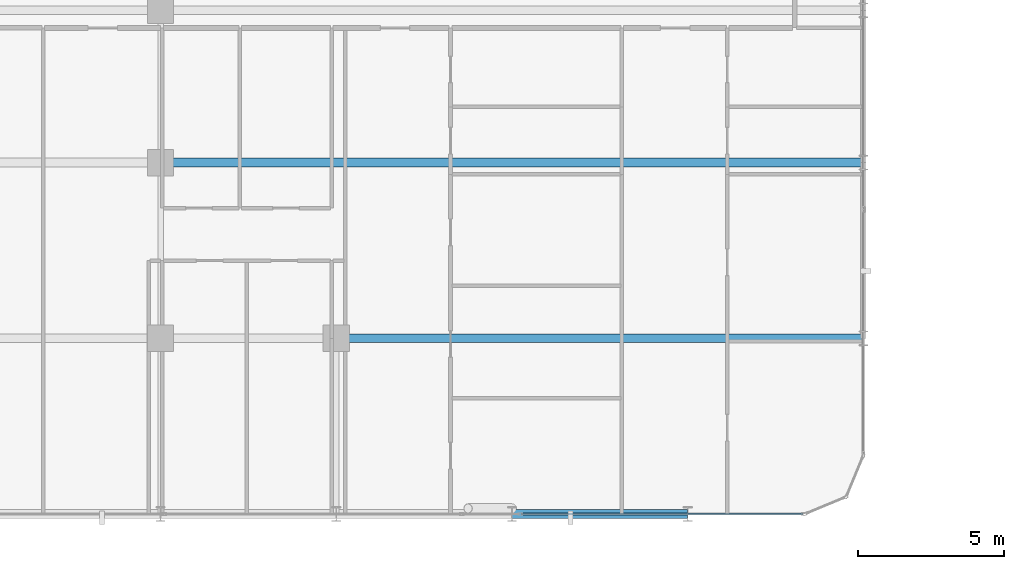
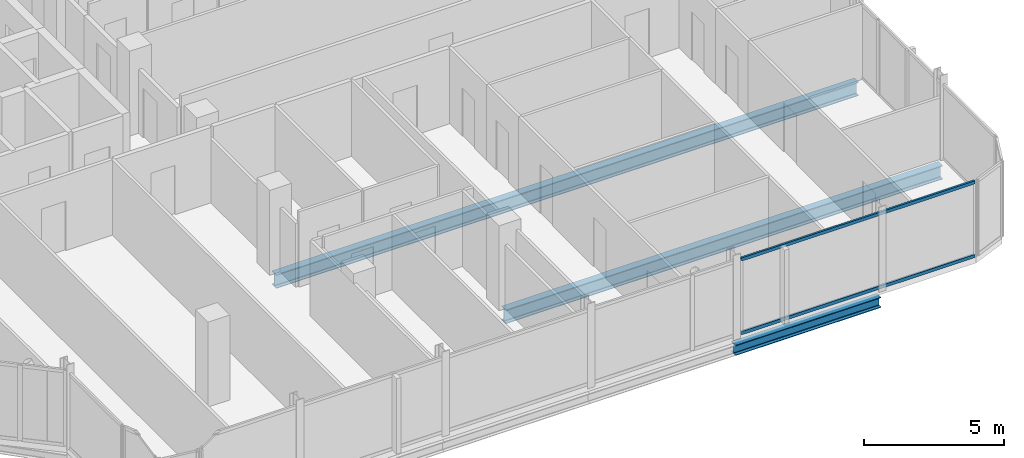
# One storey, part 10 of 31: 3 beams, 2 members, 1 element without a shape of its own.
"""IFC4 building model written with IfcOpenShell, lengths in metres."""

from ifc_helpers import new_model, si_unit, direction, frame, origin, origin_2d, place, context, subcontext, project, spatial, hollow_rectangle, i_section, extrude, material, layer, layer_set, material_profile, profile_set, type_object, element, aggregate, save


model = new_model("IFC4")

# Units and contexts
model_context = context("Model", 3, precision=1e-05, world=origin(), true_north=direction((0.0, 1.0)))
body_context = subcontext(model_context, "Body", "Model", "MODEL_VIEW")
ifc_project = project(units=[si_unit("LENGTHUNIT", "METRE"), si_unit("AREAUNIT", "SQUARE_METRE"), si_unit("VOLUMEUNIT", "CUBIC_METRE"), si_unit("PLANEANGLEUNIT", "RADIAN"), si_unit("MASSUNIT", "GRAM", prefix="KILO")], contexts=[model_context])

# Site, building, storey
site_placement = place(None, origin())
site = spatial("IfcSite", under=ifc_project, at=site_placement, CompositionType="ELEMENT")
building_placement = place(site_placement, origin())
building = spatial("IfcBuilding", under=site, at=building_placement, Name="Keshet Zoharim Tower", CompositionType="ELEMENT")
storey_placement = place(building_placement, frame((0.0, 0.0, 155.699951171875)))
storey = spatial("IfcBuildingStorey", under=building, at=storey_placement, Name="L38", CompositionType="ELEMENT", Elevation=155.699951171875)

# Beams
ifc_material_1 = material(Name="Steel S355", Category="steel")
ifc_material_profile_1 = material_profile(ifc_material_1, i_section(OverallWidth=0.300048828125, OverallDepth=0.60009765625, WebThickness=0.015380859375, FlangeThickness=0.030029296875, FilletRadius=0.027099609375, at=origin_2d()), Name="HEB600")
ifc_profile_set_1 = profile_set([ifc_material_profile_1], Name="Steel S355")
beam_type_1 = type_object("IfcBeamType", Name="BM-LNG-HB600", PredefinedType="BEAM", material=ifc_profile_set_1)
beam_1_placement = place(storey_placement, frame((39.0, 6.699951171875, -0.614990234375), z_axis=(1.0, 0.0, 0.0), x_axis=(0.0, 1.0, 0.0)))
element("IfcBeam", 1, at=beam_1_placement, inside=storey, type_object=beam_type_1, Name="L38 Primary Girder X-008", PredefinedType="BEAM", context=body_context, shape_type="SweptSolid", body=[
    extrude(i_section(OverallWidth=0.300048828125, OverallDepth=0.60009765625, WebThickness=0.015380859375, FlangeThickness=0.030029296875, FilletRadius=0.027099609375, at=origin_2d()), origin(), (0.0, 0.0, 1.0), 18.0),
])
beam_2_placement = place(storey_placement, frame((33.0, 12.699951171875, -0.614990234375), z_axis=(1.0, 0.0, 0.0), x_axis=(0.0, 1.0, 0.0)))
element("IfcBeam", 2, at=beam_2_placement, inside=storey, type_object=beam_type_1, Name="L38 Primary Girder X-010", PredefinedType="BEAM", context=body_context, shape_type="SweptSolid", body=[
    extrude(i_section(OverallWidth=0.300048828125, OverallDepth=0.60009765625, WebThickness=0.015380859375, FlangeThickness=0.030029296875, FilletRadius=0.027099609375, at=origin_2d()), origin(), (0.0, 0.0, 1.0), 24.0),
])
ifc_material_profile_2 = material_profile(ifc_material_1, i_section(OverallWidth=0.300048828125, OverallDepth=0.449951171875, WebThickness=0.013916015625, FlangeThickness=0.02587890625, FilletRadius=0.027099609375, at=origin_2d()), Name="HEB450")
ifc_profile_set_2 = profile_set([ifc_material_profile_2], Name="Steel S355")
beam_type_2 = type_object("IfcBeamType", Name="BM-WEB-HB450", PredefinedType="BEAM", material=ifc_profile_set_2)
beam_3_placement = place(storey_placement, frame((45.0, 0.699951171875, -0.5400390625), z_axis=(1.0, 0.0, 0.0), x_axis=(0.0, 1.0, 0.0)))
element("IfcBeam", 3, at=beam_3_placement, inside=storey, type_object=beam_type_2, Name="L38 Primary Girder X-004", PredefinedType="BEAM", context=body_context, shape_type="SweptSolid", body=[
    extrude(i_section(OverallWidth=0.300048828125, OverallDepth=0.449951171875, WebThickness=0.013916015625, FlangeThickness=0.02587890625, FilletRadius=0.027099609375, at=origin_2d()), origin(), (0.0, 0.0, 1.0), 6.0),
])

# Curtain wall, members
ifc_material_2 = material(Name="Aluminium 6063-T6", Category="aluminium")
ifc_layer = layer(ifc_material_2, 0.159912109375)
ifc_layer_set = layer_set([ifc_layer], Name="Aluminium 6063-T6")
curtain_wall_type = type_object("IfcCurtainWallType", Name="CW-SYS-03", PredefinedType="NOTDEFINED", material=ifc_layer_set)
curtain_wall_placement = place(storey_placement, origin())
curtain_wall = element("IfcCurtainWall", 4, at=curtain_wall_placement, inside=storey, type_object=curtain_wall_type, Name="L38 Unitised Curtain Wall 03", PredefinedType="NOTDEFINED")
ifc_material_profile_3 = material_profile(ifc_material_2, hollow_rectangle(XDim=0.080078125, YDim=0.139892578125, WallThickness=0.00390625, at=origin_2d()), Name="TRN-80x140")
ifc_profile_set_3 = profile_set([ifc_material_profile_3], Name="Aluminium 6063-T6")
member_type = type_object("IfcMemberType", Name="CWT-T14", PredefinedType="USERDEFINED", material=ifc_profile_set_3)
member_1_placement = place(storey_placement, frame((54.929931640625, 0.699951171875, 0.03515625), z_axis=(-1.0, 0.0, 0.0), x_axis=(0.0, -1.0, 0.0)))
member_1 = element("IfcMember", 5, at=member_1_placement, type_object=member_type, Name="CW-03 transom 1.1", ObjectType="TRANSOM", PredefinedType="USERDEFINED", context=body_context, shape_type="SweptSolid", body=[
    extrude(hollow_rectangle(XDim=0.080078125, YDim=0.139892578125, WallThickness=0.00390625, at=origin_2d()), origin(), (0.0, 0.0, 1.0), 9.612548828125),
])
member_2_placement = place(storey_placement, frame((54.929931640625, 0.699951171875, 3.2451171875), z_axis=(-1.0, 0.0, 0.0), x_axis=(0.0, -1.0, 0.0)))
member_2 = element("IfcMember", 6, at=member_2_placement, type_object=member_type, Name="CW-03 transom 1.2", ObjectType="TRANSOM", PredefinedType="USERDEFINED", context=body_context, shape_type="SweptSolid", body=[
    extrude(hollow_rectangle(XDim=0.080078125, YDim=0.139892578125, WallThickness=0.00390625, at=origin_2d()), origin(), (0.0, 0.0, 1.0), 9.612548828125),
])
aggregate(curtain_wall, [member_1, member_2])

save(model, "model.ifc")
